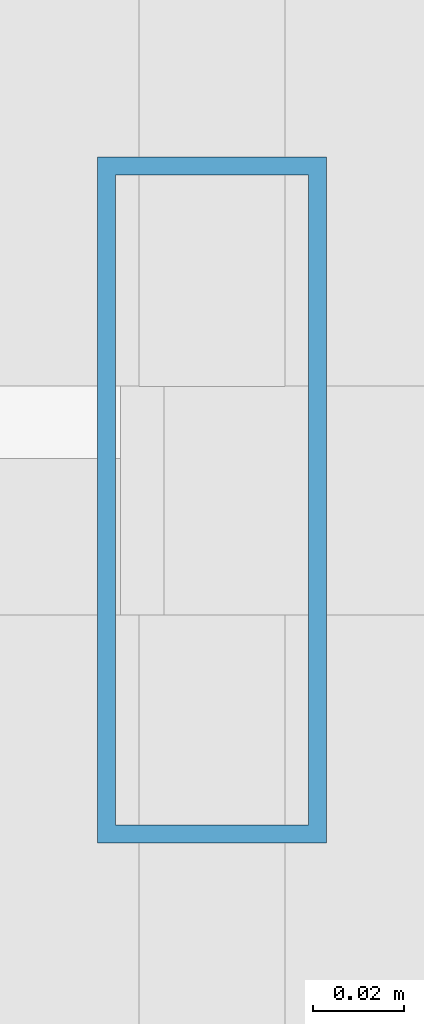
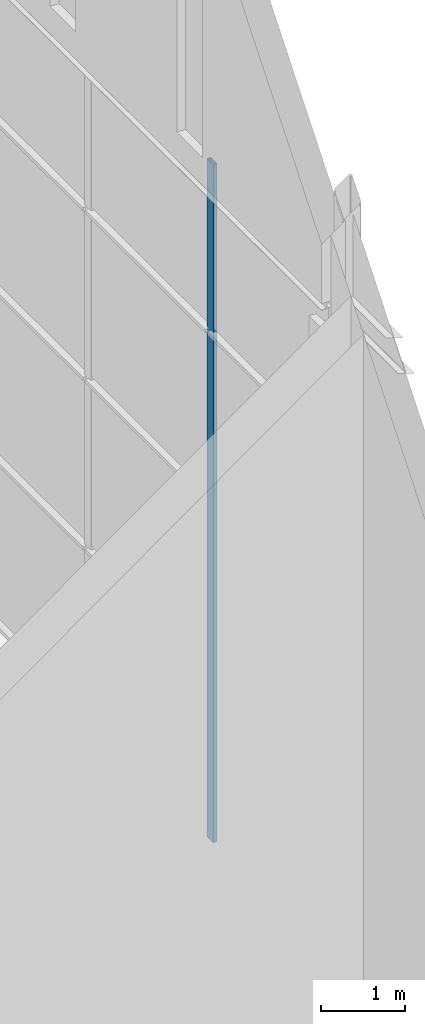
# One storey, part 71 of 111: 1 member, 1 element without a shape of its own.
"""IFC4 building model written with IfcOpenShell, lengths in metres."""

from ifc_helpers import new_model, si_unit, direction, frame, origin, origin_2d, place, context, subcontext, project, spatial, hollow_rectangle, extrude, material, layer, layer_set, material_profile, profile_set, type_object, element, aggregate, save


model = new_model("IFC4")

# Units and contexts
model_context = context("Model", 3, precision=1e-05, world=origin(), true_north=direction((0.0, 1.0)))
body_context = subcontext(model_context, "Body", "Model", "MODEL_VIEW")
ifc_project = project(units=[si_unit("LENGTHUNIT", "METRE"), si_unit("AREAUNIT", "SQUARE_METRE"), si_unit("VOLUMEUNIT", "CUBIC_METRE"), si_unit("PLANEANGLEUNIT", "RADIAN"), si_unit("MASSUNIT", "GRAM", prefix="KILO")], contexts=[model_context])

# Site, building, storey
site_placement = place(None, origin())
site = spatial("IfcSite", under=ifc_project, at=site_placement, CompositionType="ELEMENT")
building_placement = place(site_placement, origin())
building = spatial("IfcBuilding", under=site, at=building_placement, Name="Shorebreak Coast Museum", CompositionType="ELEMENT")
storey_placement = place(building_placement, frame((0.0, 0.0, 16.0)))
storey = spatial("IfcBuildingStorey", under=building, at=storey_placement, Name="L03", CompositionType="ELEMENT", Elevation=16.0)

# Curtain wall, member
ifc_material_1 = material(Name="Aluminium", Category="aluminium")
ifc_layer = layer(ifc_material_1, 0.14990234375)
ifc_layer_set = layer_set([ifc_layer], Name="Aluminium")
curtain_wall_type = type_object("IfcCurtainWallType", Name="Storefront curtain wall", PredefinedType="NOTDEFINED", material=ifc_layer_set)
curtain_wall_placement = place(storey_placement, origin())
curtain_wall = element("IfcCurtainWall", 1, at=curtain_wall_placement, inside=storey, type_object=curtain_wall_type, Name="Gallery end glazing L03 E 1", PredefinedType="NOTDEFINED")
ifc_material_2 = material(Name="Aluminium", Category="aluminium")
ifc_material_profile = material_profile(ifc_material_2, hollow_rectangle(XDim=0.050048828125, YDim=0.14990234375, WallThickness=0.00390625, at=origin_2d()), Name="AL 150x50 RHS")
ifc_profile_set = profile_set([ifc_material_profile], Name="Aluminium")
member_type = type_object("IfcMemberType", Name="Storefront mullion 50 x 150", PredefinedType="MULLION", material=ifc_profile_set)
member_placement = place(storey_placement, frame((170.925048828125, 66.076416015625, 0.0), z_axis=(0.0, 0.0, 1.0), x_axis=(-1.0, 0.0, 0.0)))
member = element("IfcMember", 2, at=member_placement, type_object=member_type, Name="CW9 mullion 2", PredefinedType="MULLION", context=body_context, shape_type="SweptSolid", body=[
    extrude(hollow_rectangle(XDim=0.050048828125, YDim=0.14990234375, WallThickness=0.00390625, at=origin_2d()), origin(), (0.0, 0.0, 1.0), 9.800048828125),
])
aggregate(curtain_wall, [member])

save(model, "model.ifc")
